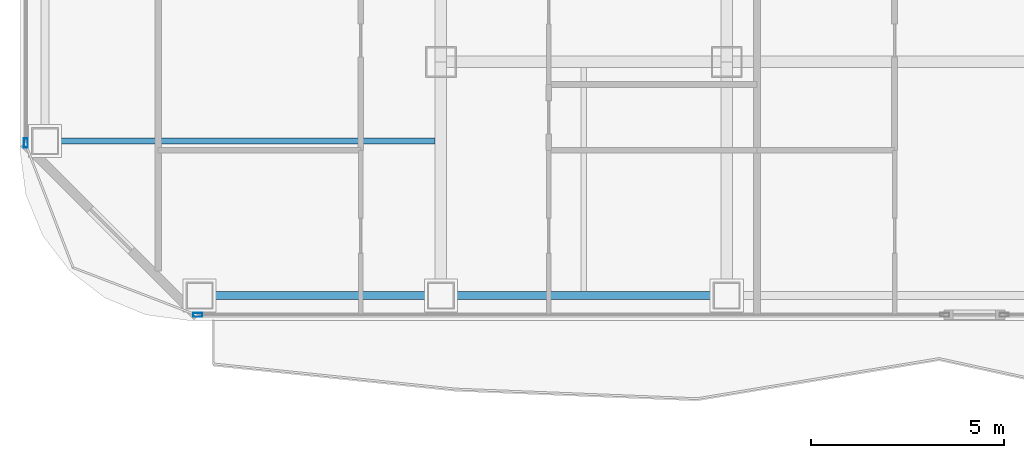
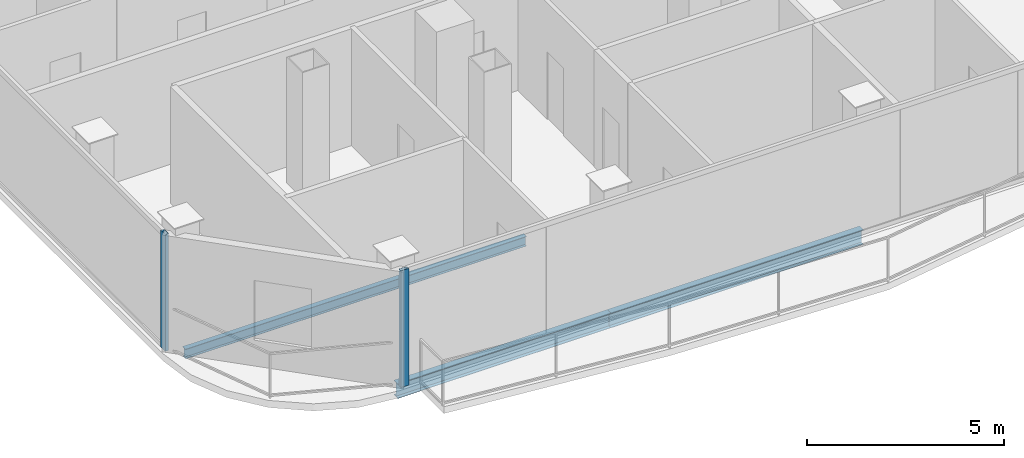
# One storey, part 2 of 26: 3 beams, 2 members, 2 elements without a shape of their own.
"""IFC4 building model written with IfcOpenShell, lengths in metres."""

from ifc_helpers import new_model, si_unit, direction, frame, origin, origin_2d, place, context, subcontext, project, spatial, hollow_rectangle, i_section, extrude, material, layer, layer_set, material_profile, profile_set, type_object, element, aggregate, save


model = new_model("IFC4")

# Units and contexts
model_context = context("Model", 3, precision=1e-05, world=origin(), true_north=direction((0.0, 1.0)))
body_context = subcontext(model_context, "Body", "Model", "MODEL_VIEW")
ifc_project = project(units=[si_unit("LENGTHUNIT", "METRE"), si_unit("AREAUNIT", "SQUARE_METRE"), si_unit("VOLUMEUNIT", "CUBIC_METRE"), si_unit("PLANEANGLEUNIT", "RADIAN"), si_unit("MASSUNIT", "GRAM", prefix="KILO")], contexts=[model_context])

# Site, building, storey
site_placement = place(None, origin())
site = spatial("IfcSite", under=ifc_project, at=site_placement, CompositionType="ELEMENT")
building_placement = place(site_placement, origin())
building = spatial("IfcBuilding", under=site, at=building_placement, Name="Khorvyn Point Tower", CompositionType="ELEMENT")
storey_placement = place(building_placement, frame((0.0, 0.0, 187.5)))
storey = spatial("IfcBuildingStorey", under=building, at=storey_placement, Name="L46", CompositionType="ELEMENT", Elevation=187.5)

# Curtain wall, member
ifc_material_1 = material(Name="Anodised aluminium 6063-T6 and laminated Low-E glass", Category="aluminium")
ifc_layer = layer(ifc_material_1, 0.18994140625)
ifc_layer_set = layer_set([ifc_layer], Name="Stick-Built Acoustic Curtain Wall CW-SYS-03")
curtain_wall_type = type_object("IfcCurtainWallType", Name="Stick-Built Acoustic Curtain Wall CW-SYS-03", PredefinedType="NOTDEFINED", material=ifc_layer_set)
curtain_wall_1_placement = place(storey_placement, origin())
curtain_wall_1 = element("IfcCurtainWall", 1, at=curtain_wall_1_placement, inside=storey, type_object=curtain_wall_type, Name="Curtain Wall", PredefinedType="NOTDEFINED")
ifc_material_2 = material(Name="Anodised aluminium 6063-T6", Category="aluminium")
ifc_material_profile_1 = material_profile(ifc_material_2, hollow_rectangle(XDim=0.10009765625, YDim=0.239990234375, WallThickness=0.0048828125, at=origin_2d()))
ifc_profile_set_1 = profile_set([ifc_material_profile_1], Name="Anodised aluminium 6063-T6 ALU-MUL-100x240")
member_type = type_object("IfcMemberType", Name="Anodised Aluminium 6063-T6 Mullion ALU-MUL-100x240", PredefinedType="MULLION", material=ifc_profile_set_1)
member_1_placement = place(storey_placement, frame((-21.10009765625, -23.64990234375, 0.0), z_axis=(0.0, 0.0, 1.0), x_axis=(0.0, -1.0, 0.0)))
member_1 = element("IfcMember", 2, at=member_1_placement, type_object=member_type, Name="Transom", PredefinedType="MULLION", context=body_context, shape_type="SweptSolid", body=[
    extrude(hollow_rectangle(XDim=0.10009765625, YDim=0.239990234375, WallThickness=0.0048828125, at=origin_2d()), origin(), (0.0, 0.0, 1.0), 3.6201171875),
])
aggregate(curtain_wall_1, [member_1])

curtain_wall_2_placement = place(storey_placement, origin())
curtain_wall_2 = element("IfcCurtainWall", 3, at=curtain_wall_2_placement, inside=storey, type_object=curtain_wall_type, Name="Curtain Wall", PredefinedType="NOTDEFINED")
member_2_placement = place(storey_placement, frame((-25.550048828125, -19.199951171875, 0.0), z_axis=(0.0, 0.0, 1.0), x_axis=(-1.0, 0.0, 0.0)))
member_2 = element("IfcMember", 4, at=member_2_placement, type_object=member_type, Name="Transom", PredefinedType="MULLION", context=body_context, shape_type="SweptSolid", body=[
    extrude(hollow_rectangle(XDim=0.10009765625, YDim=0.239990234375, WallThickness=0.0048828125, at=origin_2d()), origin(), (0.0, 0.0, 1.0), 3.6201171875),
])
aggregate(curtain_wall_2, [member_2])

# Beams
ifc_material_3 = material(Name="Steel S355", Category="steel")
ifc_material_profile_2 = material_profile(ifc_material_3, i_section(OverallWidth=0.14990234375, OverallDepth=0.300048828125, WebThickness=0.006591796875, FlangeThickness=0.009033203125, at=origin_2d()))
ifc_profile_set_2 = profile_set([ifc_material_profile_2], Name="Steel S355 H300x150x6.5x9")
beam_type_1 = type_object("IfcBeamType", Name="Steel S355 Joist H300x150x6.5x9", PredefinedType="JOIST", material=ifc_profile_set_2)
beam_1_placement = place(storey_placement, frame((-24.949951171875, -19.14990234375, -0.3701171875), z_axis=(1.0, 0.0, 0.0), x_axis=(0.0, 1.0, 0.0)))
element("IfcBeam", 5, at=beam_1_placement, inside=storey, type_object=beam_type_1, Name="Beam", PredefinedType="JOIST", context=body_context, shape_type="SweptSolid", body=[
    extrude(i_section(OverallWidth=0.14990234375, OverallDepth=0.300048828125, WebThickness=0.006591796875, FlangeThickness=0.009033203125, at=origin_2d()), origin(), (0.0, 0.0, 1.0), 10.0),
])
ifc_material_profile_3 = material_profile(ifc_material_3, i_section(OverallWidth=0.199951171875, OverallDepth=0.449951171875, WebThickness=0.009033203125, FlangeThickness=0.013916015625, at=origin_2d()))
ifc_profile_set_3 = profile_set([ifc_material_profile_3], Name="Steel S355 H450x200x9x14")
beam_type_2 = type_object("IfcBeamType", Name="Steel S355 Spandrel H450x200x9x14", PredefinedType="SPANDREL", material=ifc_profile_set_3)
beam_2_placement = place(storey_placement, frame((-21.050048828125, -23.14990234375, -0.445068359375), z_axis=(1.0, 0.0, 0.0), x_axis=(0.0, 1.0, 0.0)))
element("IfcBeam", 6, at=beam_2_placement, inside=storey, type_object=beam_type_2, Name="Beam", PredefinedType="SPANDREL", context=body_context, shape_type="SweptSolid", body=[
    extrude(i_section(OverallWidth=0.199951171875, OverallDepth=0.449951171875, WebThickness=0.009033203125, FlangeThickness=0.013916015625, at=origin_2d()), origin(), (0.0, 0.0, 1.0), 6.25),
])
beam_3_placement = place(storey_placement, frame((-14.800048828125, -23.14990234375, -0.445068359375), z_axis=(1.0, 0.0, 0.0), x_axis=(0.0, 1.0, 0.0)))
element("IfcBeam", 7, at=beam_3_placement, inside=storey, type_object=beam_type_2, Name="Beam", PredefinedType="SPANDREL", context=body_context, shape_type="SweptSolid", body=[
    extrude(i_section(OverallWidth=0.199951171875, OverallDepth=0.449951171875, WebThickness=0.009033203125, FlangeThickness=0.013916015625, at=origin_2d()), origin(), (0.0, 0.0, 1.0), 7.400146484375),
])

save(model, "model.ifc")
